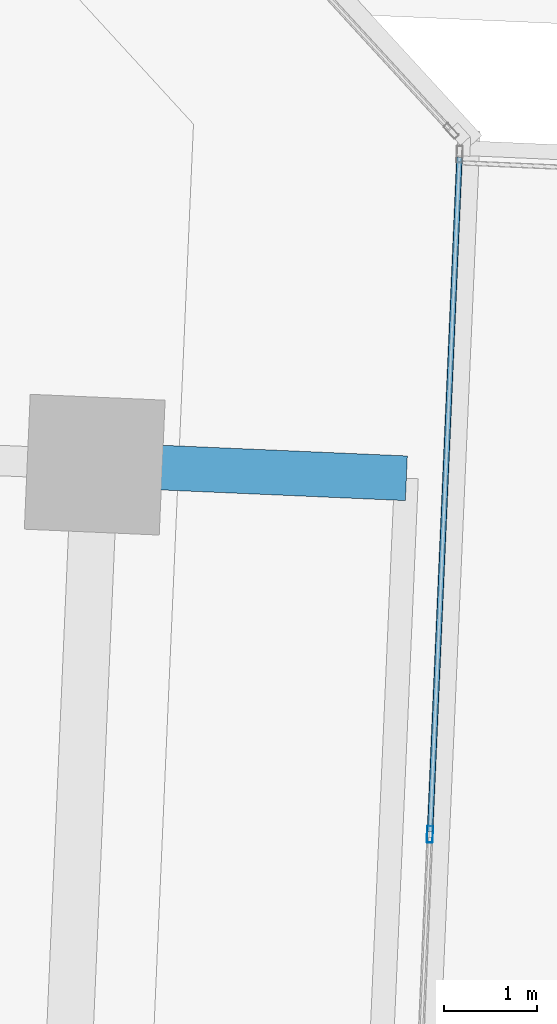
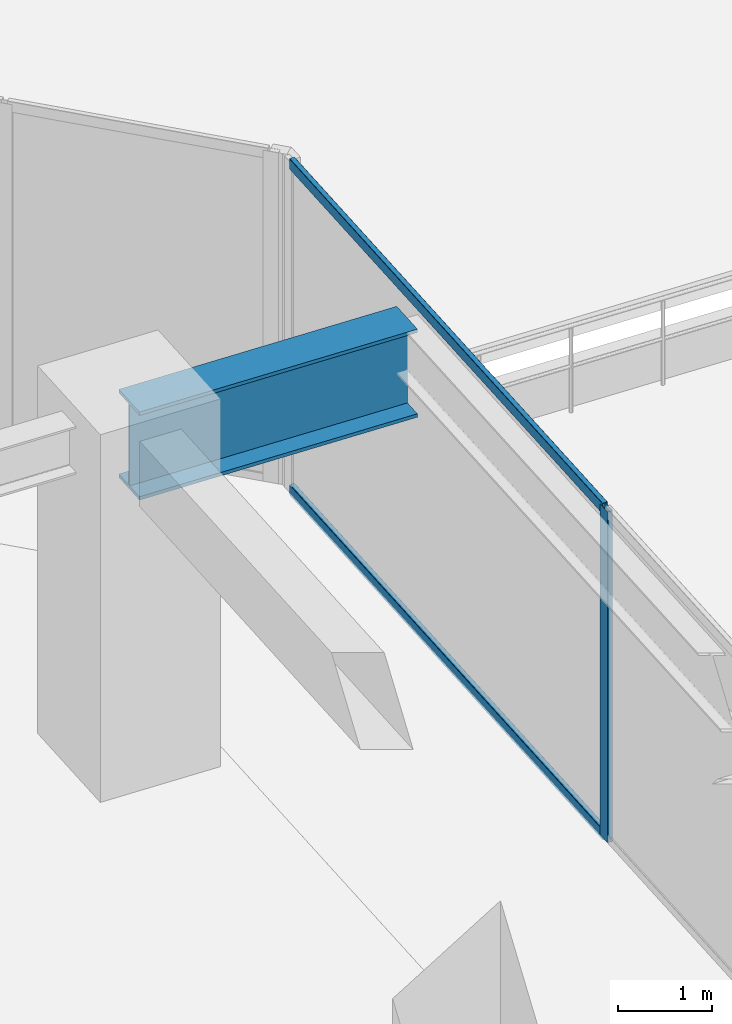
# One storey, part 17 of 33: 3 members, 1 beam, 1 element without a shape of its own.
"""IFC4 building model written with IfcOpenShell, lengths in metres."""

import ifcopenshell
import ifcopenshell.guid

model = None  # the IFC model being written
_history = None  # IfcOwnerHistory: only IFC2X3 demands one
_inside = {}  # id of a spatial element -> (the spatial element, [elements in it])
_under = {}  # id of a project, library or spatial element -> (it, [spatial elements below it])
_declared = {}  # id of a project -> (the project, [libraries it declares])
_typed = {}  # id of a type object -> (the type object, [elements of that type])
_made_of = {}  # id of a material, layer set ... -> (it, [elements and type objects made of it])


def new_model(schema):
    """Start an empty IFC model of exactly this schema.

    Asked for "IFC4X3", IfcOpenShell would pick the latest addendum, in which some entities
    have other attributes; the version numbers below select the first issue.
    IFC2X3 requires an IfcOwnerHistory on every rooted entity: one is made here for all.
    """
    global model, _history
    if schema == "IFC4X3":
        model = ifcopenshell.file(schema_version=(4, 3, 0, 0))
    else:
        model = ifcopenshell.file(schema=schema)
    _inside.clear()
    _under.clear()
    _declared.clear()
    _typed.clear()
    _made_of.clear()
    _history = None
    if model.schema == "IFC2X3":
        org = make("IfcOrganization", Name="unknown")
        user = make(
            "IfcPersonAndOrganization",
            ThePerson=make("IfcPerson", FamilyName="unknown"),
            TheOrganization=org,
        )
        app = make(
            "IfcApplication",
            ApplicationDeveloper=org,
            Version="unknown",
            ApplicationFullName="unknown",
            ApplicationIdentifier="unknown",
        )
        _history = make(
            "IfcOwnerHistory",
            OwningUser=user,
            OwningApplication=app,
            ChangeAction="ADDED",
            CreationDate=0,
        )
    return model


def make(cls, **values):
    """One entity of the class cls with the attributes given. An attribute that is None is left unset."""
    return model.create_entity(
        cls, **{name: value for name, value in values.items() if value is not None}
    )


def rooted(cls, **values):
    """An entity with a GlobalId (a new one), such as an element, a storey or a relation."""
    return make(cls, GlobalId=ifcopenshell.guid.new(), OwnerHistory=_history, **values)


def si_unit(unit_type, name, prefix=None):
    """IfcSIUnit, for example si_unit("LENGTHUNIT", "METRE", prefix="MILLI")."""
    return make("IfcSIUnit", UnitType=unit_type, Prefix=prefix, Name=name)


def assignment(units):
    """IfcUnitAssignment: the units of a project."""
    return None if units is None else make("IfcUnitAssignment", Units=units)


def point(xyz):
    """IfcCartesianPoint."""
    return None if xyz is None else make("IfcCartesianPoint", Coordinates=xyz)


def direction(xyz):
    """IfcDirection."""
    return None if xyz is None else make("IfcDirection", DirectionRatios=xyz)


def frame(location, z_axis=None, x_axis=None):
    """IfcAxis2Placement3D, a coordinate frame: its origin and axes. An axis left out is left unset."""
    return make(
        "IfcAxis2Placement3D",
        Location=point(location),
        Axis=direction(z_axis),
        RefDirection=direction(x_axis),
    )


def frame_2d(location, x_axis=None):
    """IfcAxis2Placement2D, a coordinate frame in the plane: its origin and x axis."""
    return make(
        "IfcAxis2Placement2D", Location=point(location), RefDirection=direction(x_axis)
    )


def origin():
    """The frame at (0, 0, 0) with its axes left unset."""
    return frame((0.0, 0.0, 0.0))


def origin_2d():
    """The frame at (0, 0) in the plane with its x axis left unset."""
    return frame_2d((0.0, 0.0))


def place(relative_to, where):
    """IfcLocalPlacement: puts the frame where relative to a parent placement (None: the world)."""
    return make(
        "IfcLocalPlacement", PlacementRelTo=relative_to, RelativePlacement=where
    )


def context(
    kind, dimensions, precision=None, world=None, true_north=None, identifier=None
):
    """IfcGeometricRepresentationContext, for example the 3D "Model" context."""
    return make(
        "IfcGeometricRepresentationContext",
        ContextIdentifier=identifier,
        ContextType=kind,
        CoordinateSpaceDimension=dimensions,
        Precision=precision,
        WorldCoordinateSystem=world,
        TrueNorth=true_north,
    )


def subcontext(parent, identifier, kind, view, scale=None):
    """IfcGeometricRepresentationSubContext, for example "Body" below "Model"."""
    return make(
        "IfcGeometricRepresentationSubContext",
        ContextIdentifier=identifier,
        ContextType=kind,
        ParentContext=parent,
        TargetScale=scale,
        TargetView=view,
    )


def project(units=None, contexts=None):
    """IfcProject with its units and contexts."""
    return rooted(
        "IfcProject",
        Name="project",
        RepresentationContexts=contexts,
        UnitsInContext=assignment(units),
    )


def spatial(cls, under=None, at=None, **own):
    """A site, building, storey or space (cls), placed at a placement, below another one or the project."""
    s = rooted(cls, ObjectPlacement=at, **own)
    if under is not None:
        _under.setdefault(under.id(), (under, []))[1].append(s)
    return s


def profile(cls, at=None, kind="AREA", **sizes):
    """A parametric profile (cls). Its sizes go by their IFC names, for example OverallWidth=200.0."""
    return make(cls, ProfileType=kind, Position=at, **sizes)


def hollow_rectangle(**sizes):
    """IfcRectangleHollowProfileDef."""
    return profile("IfcRectangleHollowProfileDef", **sizes)


def i_section(**sizes):
    """IfcIShapeProfileDef."""
    return profile("IfcIShapeProfileDef", **sizes)


def extrude(swept, where, along, depth):
    """IfcExtrudedAreaSolid: the profile swept, set in the frame where, extruded along a direction by depth."""
    return make(
        "IfcExtrudedAreaSolid",
        SweptArea=swept,
        Position=where,
        ExtrudedDirection=direction(along),
        Depth=depth,
    )


def shape(context_of_items, identifier, shape_type, items):
    """IfcShapeRepresentation: the items that make up one representation, for example the "Body"."""
    return make(
        "IfcShapeRepresentation",
        ContextOfItems=context_of_items,
        RepresentationIdentifier=identifier,
        RepresentationType=shape_type,
        Items=items,
    )


def source(mapping_origin, context_of_items, identifier, shape_type, items):
    """IfcRepresentationMap: a shape defined once, which mapped items show again and again."""
    return make(
        "IfcRepresentationMap",
        MappingOrigin=mapping_origin,
        MappedRepresentation=shape(context_of_items, identifier, shape_type, items),
    )


def transform(
    local_origin,
    x_axis=None,
    y_axis=None,
    z_axis=None,
    scale=None,
    scale2=None,
    scale3=None,
    uniform=True,
):
    """IfcCartesianTransformationOperator3D, or its non-uniform kind. x_axis, y_axis, z_axis: its Axis1, 2, 3."""
    if uniform:
        return make(
            "IfcCartesianTransformationOperator3D",
            Axis1=direction(x_axis),
            Axis2=direction(y_axis),
            LocalOrigin=point(local_origin),
            Scale=scale,
            Axis3=direction(z_axis),
        )
    return make(
        "IfcCartesianTransformationOperator3DnonUniform",
        Axis1=direction(x_axis),
        Axis2=direction(y_axis),
        LocalOrigin=point(local_origin),
        Scale=scale,
        Axis3=direction(z_axis),
        Scale2=scale2,
        Scale3=scale3,
    )


def mapped(mapping_source, mapping_target):
    """IfcMappedItem: shows the shape of a source again, moved by a transform."""
    return make(
        "IfcMappedItem", MappingSource=mapping_source, MappingTarget=mapping_target
    )


def material(Name=None, Category=None):
    """IfcMaterial."""
    return make("IfcMaterial", Name=Name, Category=Category)


def material_profile(
    of_material, cross_section, Name=None, Category=None, Priority=None
):
    """IfcMaterialProfile: a cross section and its material."""
    return make(
        "IfcMaterialProfile",
        Name=Name,
        Material=of_material,
        Profile=cross_section,
        Priority=Priority,
        Category=Category,
    )


def profile_set(profiles, Name=None, composite=None):
    """IfcMaterialProfileSet."""
    return make(
        "IfcMaterialProfileSet",
        Name=Name,
        MaterialProfiles=profiles,
        CompositeProfile=composite,
    )


def made_of(thing, what):
    """Note that an element or type object is made of a material, layer set ...; save() writes the relation."""
    if what is not None:
        _made_of.setdefault(what.id(), (what, []))[1].append(thing)
    return thing


def type_object(cls, material=None, **own):
    """A type object (cls), such as IfcWallType, which elements share."""
    return made_of(rooted(cls, **own), material)


def element(
    cls,
    number,
    at=None,
    inside=None,
    cuts=None,
    type_object=None,
    material=None,
    context=None,
    identifier="Body",
    shape_type=None,
    held_by="IfcProductDefinitionShape",
    body=None,
    shapes=None,
    **own,
):
    """One element of the class cls, such as IfcWall. Its Tag is "e" and its number.

    at: its placement. inside: the storey or other place that contains it. cuts: it is an
    opening in that element (IfcRelVoidsElement). A single representation is given by context,
    identifier, shape_type and body (its items); several are given by shapes. held_by: the class
    of the entity that holds the representations. save() writes the other relations.
    """
    e = rooted(cls, Tag="e%d" % number, ObjectPlacement=at, **own)
    if body is not None:
        shapes = [shape(context, identifier, shape_type, body)]
    if shapes is not None:
        e.Representation = make(held_by, Representations=shapes)
    if inside is not None:
        _inside.setdefault(inside.id(), (inside, []))[1].append(e)
    if cuts is not None:
        rooted(
            "IfcRelVoidsElement", RelatingBuildingElement=cuts, RelatedOpeningElement=e
        )
    if type_object is not None:
        _typed.setdefault(type_object.id(), (type_object, []))[1].append(e)
    return made_of(e, material)


def aggregate(whole, parts):
    """IfcRelAggregates: a whole, such as a stair, and the parts it consists of."""
    return rooted("IfcRelAggregates", RelatingObject=whole, RelatedObjects=parts)


def save(model, path):
    """Write the relations noted so far, then the file.

    IfcRelAggregates (storeys below a building ...), IfcRelContainedInSpatialStructure (elements
    in a storey), IfcRelDefinesByType, IfcRelAssociatesMaterial and IfcRelDeclares: one each for
    every whole, place, type object, material and project.
    """
    for whole, parts in _under.values():
        aggregate(whole, parts)
    for where, things in _inside.values():
        rooted(
            "IfcRelContainedInSpatialStructure",
            RelatedElements=things,
            RelatingStructure=where,
        )
    for kind, things in _typed.values():
        rooted("IfcRelDefinesByType", RelatedObjects=things, RelatingType=kind)
    for what, things in _made_of.values():
        rooted("IfcRelAssociatesMaterial", RelatedObjects=things, RelatingMaterial=what)
    for by, libraries in _declared.values():
        rooted("IfcRelDeclares", RelatingContext=by, RelatedDefinitions=libraries)
    model.write(path)


model = new_model("IFC4")

# Units and contexts
model_context = context("Model", 3, precision=1e-05, world=origin(), true_north=direction((0.0, 1.0)))
body_context = subcontext(model_context, "Body", "Model", "MODEL_VIEW")
ifc_project = project(units=[si_unit("LENGTHUNIT", "METRE"), si_unit("AREAUNIT", "SQUARE_METRE"), si_unit("VOLUMEUNIT", "CUBIC_METRE"), si_unit("PLANEANGLEUNIT", "RADIAN"), si_unit("MASSUNIT", "GRAM", prefix="KILO")], contexts=[model_context])

# Site, building, storey
site_placement = place(None, origin())
site = spatial("IfcSite", under=ifc_project, at=site_placement, CompositionType="ELEMENT")
building_placement = place(site_placement, origin())
building = spatial("IfcBuilding", under=site, at=building_placement, Name="Torre Montelarca", CompositionType="ELEMENT")
storey_placement = place(building_placement, frame((0.0, 0.0, 32.800048828125)))
storey = spatial("IfcBuildingStorey", under=building, at=storey_placement, Name="L07", CompositionType="ELEMENT", Elevation=32.800048828125)

# Beam
ifc_material_1 = material(Name="Steel ASTM A572 Grade 50", Category="steel")
ifc_material_profile_1 = material_profile(ifc_material_1, i_section(OverallWidth=0.47998046875, OverallDepth=1.14990234375, WebThickness=0.02197265625, FlangeThickness=0.044921875, at=origin_2d()), Name="PG1150X480X22X45", Category="steel")
ifc_profile_set_1 = profile_set([ifc_material_profile_1], Name="Steel ASTM A572 Grade 50")
beam_type = type_object("IfcBeamType", Name="BM-CG-PG1400-EXT", PredefinedType="USERDEFINED", material=ifc_profile_set_1)
shared_shape_1 = source(origin(), body_context, "Body", "SweptSolid", [
    extrude(i_section(OverallWidth=0.47998046875, OverallDepth=1.14990234375, WebThickness=0.02197265625, FlangeThickness=0.044921875, at=origin_2d()), origin(), (0.0, 0.0, 1.0), 3.35009765625),
])
beam_placement = place(storey_placement, frame((60.312255859375, 38.31298828125, 3.98486328125), z_axis=(0.999049960678, -0.043579537274, 0.0), x_axis=(0.043579537274, 0.999049960678, 0.0)))
element("IfcBeam", 1, at=beam_placement, inside=storey, type_object=beam_type, Name="L07 Sliding Tray Cantilever Girder East Y=40m (FLR)", ObjectType="CANTILEVER GIRDER", PredefinedType="USERDEFINED", context=body_context, shape_type="MappedRepresentation", body=[
    mapped(shared_shape_1, transform((0.0, 0.0, 0.0), scale=1.0)),
])

# Curtain wall, members
ifc_material_2 = material(Name="Insulated low-E laminated glass", Category="glass")
curtain_wall_type = type_object("IfcCurtainWallType", Name="CW-SYS-Z1", PredefinedType="USERDEFINED", material=ifc_material_2)
curtain_wall_placement = place(storey_placement, origin())
curtain_wall = element("IfcCurtainWall", 2, at=curtain_wall_placement, inside=storey, type_object=curtain_wall_type, Name="L07 Curtain Wall Run CW-T3-L07-E06-B2", ObjectType="UNITISED GLAZING", PredefinedType="USERDEFINED")
ifc_material_3 = material(Name="Anodised aluminium AA 6063-T6", Category="aluminium")
ifc_material_profile_2 = material_profile(ifc_material_3, hollow_rectangle(XDim=0.06494140625, YDim=0.179931640625, WallThickness=0.00390625, InnerFilletRadius=0.00390625, OuterFilletRadius=0.008056640625, at=origin_2d()), Name="ALU65X180X4", Category="aluminium")
ifc_profile_set_2 = profile_set([ifc_material_profile_2], Name="Anodised aluminium AA 6063-T6")
member_type_1 = type_object("IfcMemberType", Name="CWM-ALU180", PredefinedType="MULLION", material=ifc_profile_set_2)
shared_shape_2 = source(origin(), body_context, "Body", "SweptSolid", [
    extrude(hollow_rectangle(XDim=0.06494140625, YDim=0.179931640625, WallThickness=0.00390625, InnerFilletRadius=0.00390625, OuterFilletRadius=0.008056640625, at=origin_2d()), origin(), (0.0, 0.0, 1.0), 4.320068359375),
])
member_1_placement = place(storey_placement, frame((63.91259765625, 34.34228515625, 0.0), z_axis=(0.0, 0.0, 1.0), x_axis=(-0.999048203112, 0.043619810397, 0.0)))
member_1 = element("IfcMember", 3, at=member_1_placement, type_object=member_type_1, Name="CW mullion 2", PredefinedType="MULLION", context=body_context, shape_type="MappedRepresentation", body=[
    mapped(shared_shape_2, transform((0.0, 0.0, 0.0), scale=1.0)),
])
ifc_material_profile_3 = material_profile(ifc_material_3, hollow_rectangle(XDim=0.06494140625, YDim=0.139892578125, WallThickness=0.00390625, InnerFilletRadius=0.00390625, OuterFilletRadius=0.008056640625, at=origin_2d()), Name="ALU65X140X4", Category="aluminium")
ifc_profile_set_3 = profile_set([ifc_material_profile_3], Name="Anodised aluminium AA 6063-T6")
member_type_2 = type_object("IfcMemberType", Name="CWT-ALU140", PredefinedType="USERDEFINED", material=ifc_profile_set_3)
shared_shape_3 = source(origin(), body_context, "Body", "SweptSolid", [
    extrude(hollow_rectangle(XDim=0.06494140625, YDim=0.139892578125, WallThickness=0.00390625, InnerFilletRadius=0.00390625, OuterFilletRadius=0.008056640625, at=origin_2d()), origin(), (0.0, 0.0, 1.0), 7.24658203125),
])
member_2_placement = place(storey_placement, frame((63.9140625, 34.374755859375, 0.032470703125), z_axis=(0.043595122723, 0.999049280704, 0.0), x_axis=(-0.999049280704, 0.043595122723, 0.0)))
member_2 = element("IfcMember", 4, at=member_2_placement, type_object=member_type_2, Name="CW transom 2.1", ObjectType="TRANSOM", PredefinedType="USERDEFINED", context=body_context, shape_type="MappedRepresentation", body=[
    mapped(shared_shape_3, transform((0.0, 0.0, 0.0), scale=1.0)),
])
member_3_placement = place(storey_placement, frame((63.9140625, 34.374755859375, 4.287353515625), z_axis=(0.043595122723, 0.999049280704, 0.0), x_axis=(-0.999049280704, 0.043595122723, 0.0)))
member_3 = element("IfcMember", 5, at=member_3_placement, type_object=member_type_2, Name="CW transom 2.2", ObjectType="TRANSOM", PredefinedType="USERDEFINED", context=body_context, shape_type="MappedRepresentation", body=[
    mapped(shared_shape_3, transform((0.0, 0.0, 0.0), scale=1.0)),
])
aggregate(curtain_wall, [member_1, member_2, member_3])

save(model, "model.ifc")
